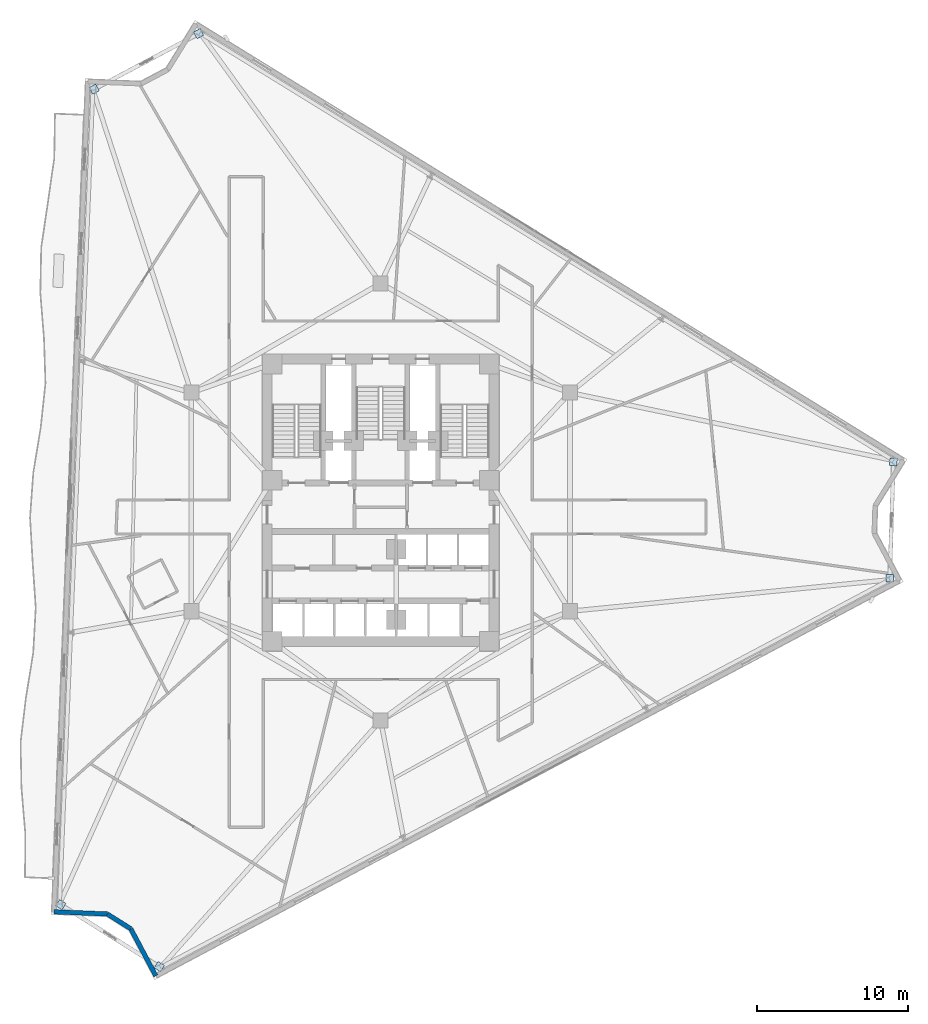
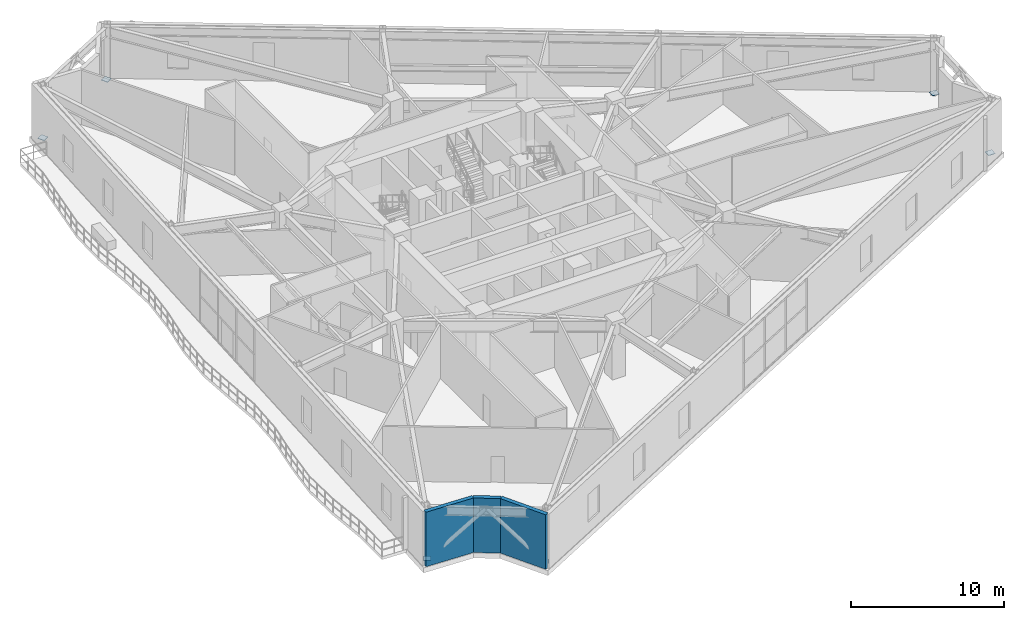
# One storey, part 15 of 22: 6 plates, 3 walls.
"""IFC4 building model written with IfcOpenShell, lengths in metres."""

import ifcopenshell
import ifcopenshell.guid

model = None  # the IFC model being written
_history = None  # IfcOwnerHistory: only IFC2X3 demands one
_inside = {}  # id of a spatial element -> (the spatial element, [elements in it])
_under = {}  # id of a project, library or spatial element -> (it, [spatial elements below it])
_declared = {}  # id of a project -> (the project, [libraries it declares])
_typed = {}  # id of a type object -> (the type object, [elements of that type])
_made_of = {}  # id of a material, layer set ... -> (it, [elements and type objects made of it])


def new_model(schema):
    """Start an empty IFC model of exactly this schema.

    Asked for "IFC4X3", IfcOpenShell would pick the latest addendum, in which some entities
    have other attributes; the version numbers below select the first issue.
    IFC2X3 requires an IfcOwnerHistory on every rooted entity: one is made here for all.
    """
    global model, _history
    if schema == "IFC4X3":
        model = ifcopenshell.file(schema_version=(4, 3, 0, 0))
    else:
        model = ifcopenshell.file(schema=schema)
    _inside.clear()
    _under.clear()
    _declared.clear()
    _typed.clear()
    _made_of.clear()
    _history = None
    if model.schema == "IFC2X3":
        org = make("IfcOrganization", Name="unknown")
        user = make(
            "IfcPersonAndOrganization",
            ThePerson=make("IfcPerson", FamilyName="unknown"),
            TheOrganization=org,
        )
        app = make(
            "IfcApplication",
            ApplicationDeveloper=org,
            Version="unknown",
            ApplicationFullName="unknown",
            ApplicationIdentifier="unknown",
        )
        _history = make(
            "IfcOwnerHistory",
            OwningUser=user,
            OwningApplication=app,
            ChangeAction="ADDED",
            CreationDate=0,
        )
    return model


def make(cls, **values):
    """One entity of the class cls with the attributes given. An attribute that is None is left unset."""
    return model.create_entity(
        cls, **{name: value for name, value in values.items() if value is not None}
    )


def rooted(cls, **values):
    """An entity with a GlobalId (a new one), such as an element, a storey or a relation."""
    return make(cls, GlobalId=ifcopenshell.guid.new(), OwnerHistory=_history, **values)


def si_unit(unit_type, name, prefix=None):
    """IfcSIUnit, for example si_unit("LENGTHUNIT", "METRE", prefix="MILLI")."""
    return make("IfcSIUnit", UnitType=unit_type, Prefix=prefix, Name=name)


def assignment(units):
    """IfcUnitAssignment: the units of a project."""
    return None if units is None else make("IfcUnitAssignment", Units=units)


def point(xyz):
    """IfcCartesianPoint."""
    return None if xyz is None else make("IfcCartesianPoint", Coordinates=xyz)


def direction(xyz):
    """IfcDirection."""
    return None if xyz is None else make("IfcDirection", DirectionRatios=xyz)


def frame(location, z_axis=None, x_axis=None):
    """IfcAxis2Placement3D, a coordinate frame: its origin and axes. An axis left out is left unset."""
    return make(
        "IfcAxis2Placement3D",
        Location=point(location),
        Axis=direction(z_axis),
        RefDirection=direction(x_axis),
    )


def frame_2d(location, x_axis=None):
    """IfcAxis2Placement2D, a coordinate frame in the plane: its origin and x axis."""
    return make(
        "IfcAxis2Placement2D", Location=point(location), RefDirection=direction(x_axis)
    )


def origin():
    """The frame at (0, 0, 0) with its axes left unset."""
    return frame((0.0, 0.0, 0.0))


def origin_2d():
    """The frame at (0, 0) in the plane with its x axis left unset."""
    return frame_2d((0.0, 0.0))


def place(relative_to, where):
    """IfcLocalPlacement: puts the frame where relative to a parent placement (None: the world)."""
    return make(
        "IfcLocalPlacement", PlacementRelTo=relative_to, RelativePlacement=where
    )


def context(
    kind, dimensions, precision=None, world=None, true_north=None, identifier=None
):
    """IfcGeometricRepresentationContext, for example the 3D "Model" context."""
    return make(
        "IfcGeometricRepresentationContext",
        ContextIdentifier=identifier,
        ContextType=kind,
        CoordinateSpaceDimension=dimensions,
        Precision=precision,
        WorldCoordinateSystem=world,
        TrueNorth=true_north,
    )


def subcontext(parent, identifier, kind, view, scale=None):
    """IfcGeometricRepresentationSubContext, for example "Body" below "Model"."""
    return make(
        "IfcGeometricRepresentationSubContext",
        ContextIdentifier=identifier,
        ContextType=kind,
        ParentContext=parent,
        TargetScale=scale,
        TargetView=view,
    )


def project(units=None, contexts=None):
    """IfcProject with its units and contexts."""
    return rooted(
        "IfcProject",
        Name="project",
        RepresentationContexts=contexts,
        UnitsInContext=assignment(units),
    )


def spatial(cls, under=None, at=None, **own):
    """A site, building, storey or space (cls), placed at a placement, below another one or the project."""
    s = rooted(cls, ObjectPlacement=at, **own)
    if under is not None:
        _under.setdefault(under.id(), (under, []))[1].append(s)
    return s


def profile(cls, at=None, kind="AREA", **sizes):
    """A parametric profile (cls). Its sizes go by their IFC names, for example OverallWidth=200.0."""
    return make(cls, ProfileType=kind, Position=at, **sizes)


def rectangle(**sizes):
    """IfcRectangleProfileDef."""
    return profile("IfcRectangleProfileDef", **sizes)


def extrude(swept, where, along, depth):
    """IfcExtrudedAreaSolid: the profile swept, set in the frame where, extruded along a direction by depth."""
    return make(
        "IfcExtrudedAreaSolid",
        SweptArea=swept,
        Position=where,
        ExtrudedDirection=direction(along),
        Depth=depth,
    )


def shape(context_of_items, identifier, shape_type, items):
    """IfcShapeRepresentation: the items that make up one representation, for example the "Body"."""
    return make(
        "IfcShapeRepresentation",
        ContextOfItems=context_of_items,
        RepresentationIdentifier=identifier,
        RepresentationType=shape_type,
        Items=items,
    )


def material(Name=None, Category=None):
    """IfcMaterial."""
    return make("IfcMaterial", Name=Name, Category=Category)


def layer(
    of_material, thickness, ventilated=None, Name=None, Category=None, Priority=None
):
    """IfcMaterialLayer: one layer of a wall or slab, of a material (None: an air gap)."""
    return make(
        "IfcMaterialLayer",
        Material=of_material,
        LayerThickness=thickness,
        IsVentilated=ventilated,
        Name=Name,
        Category=Category,
        Priority=Priority,
    )


def layer_set(layers, Name=None):
    """IfcMaterialLayerSet."""
    return make("IfcMaterialLayerSet", MaterialLayers=layers, LayerSetName=Name)


def made_of(thing, what):
    """Note that an element or type object is made of a material, layer set ...; save() writes the relation."""
    if what is not None:
        _made_of.setdefault(what.id(), (what, []))[1].append(thing)
    return thing


def type_object(cls, material=None, **own):
    """A type object (cls), such as IfcWallType, which elements share."""
    return made_of(rooted(cls, **own), material)


def element(
    cls,
    number,
    at=None,
    inside=None,
    cuts=None,
    type_object=None,
    material=None,
    context=None,
    identifier="Body",
    shape_type=None,
    held_by="IfcProductDefinitionShape",
    body=None,
    shapes=None,
    **own,
):
    """One element of the class cls, such as IfcWall. Its Tag is "e" and its number.

    at: its placement. inside: the storey or other place that contains it. cuts: it is an
    opening in that element (IfcRelVoidsElement). A single representation is given by context,
    identifier, shape_type and body (its items); several are given by shapes. held_by: the class
    of the entity that holds the representations. save() writes the other relations.
    """
    e = rooted(cls, Tag="e%d" % number, ObjectPlacement=at, **own)
    if body is not None:
        shapes = [shape(context, identifier, shape_type, body)]
    if shapes is not None:
        e.Representation = make(held_by, Representations=shapes)
    if inside is not None:
        _inside.setdefault(inside.id(), (inside, []))[1].append(e)
    if cuts is not None:
        rooted(
            "IfcRelVoidsElement", RelatingBuildingElement=cuts, RelatedOpeningElement=e
        )
    if type_object is not None:
        _typed.setdefault(type_object.id(), (type_object, []))[1].append(e)
    return made_of(e, material)


def aggregate(whole, parts):
    """IfcRelAggregates: a whole, such as a stair, and the parts it consists of."""
    return rooted("IfcRelAggregates", RelatingObject=whole, RelatedObjects=parts)


def save(model, path):
    """Write the relations noted so far, then the file.

    IfcRelAggregates (storeys below a building ...), IfcRelContainedInSpatialStructure (elements
    in a storey), IfcRelDefinesByType, IfcRelAssociatesMaterial and IfcRelDeclares: one each for
    every whole, place, type object, material and project.
    """
    for whole, parts in _under.values():
        aggregate(whole, parts)
    for where, things in _inside.values():
        rooted(
            "IfcRelContainedInSpatialStructure",
            RelatedElements=things,
            RelatingStructure=where,
        )
    for kind, things in _typed.values():
        rooted("IfcRelDefinesByType", RelatedObjects=things, RelatingType=kind)
    for what, things in _made_of.values():
        rooted("IfcRelAssociatesMaterial", RelatedObjects=things, RelatingMaterial=what)
    for by, libraries in _declared.values():
        rooted("IfcRelDeclares", RelatingContext=by, RelatedDefinitions=libraries)
    model.write(path)


model = new_model("IFC4")

# Units and contexts
model_context = context("Model", 3, precision=1e-05, world=origin(), true_north=direction((0.0, 1.0)))
body_context = subcontext(model_context, "Body", "Model", "MODEL_VIEW")
ifc_project = project(units=[si_unit("LENGTHUNIT", "METRE"), si_unit("AREAUNIT", "SQUARE_METRE"), si_unit("VOLUMEUNIT", "CUBIC_METRE"), si_unit("PLANEANGLEUNIT", "RADIAN"), si_unit("MASSUNIT", "GRAM", prefix="KILO")], contexts=[model_context])

# Site, building, storey
site_placement = place(None, origin())
site = spatial("IfcSite", under=ifc_project, at=site_placement, CompositionType="ELEMENT")
building_placement = place(site_placement, origin())
building = spatial("IfcBuilding", under=site, at=building_placement, Name="Apsidion Concourse Tower", CompositionType="ELEMENT")
storey_placement = place(building_placement, frame((0.0, 0.0, 160.89990234375)))
storey = spatial("IfcBuildingStorey", under=building, at=storey_placement, Name="L37", CompositionType="ELEMENT", Elevation=160.89990234375)

# Plates
ifc_material_1 = material(Name="Structural steel ASTM A572 Grade 50", Category="steel")
ifc_layer_1 = layer(ifc_material_1, 0.034912109375)
ifc_layer_set_1 = layer_set([ifc_layer_1], Name="Structural steel ASTM A572 Grade 50")
plate_type = type_object("IfcPlateType", Name="PL-ENDCAP-35", PredefinedType="USERDEFINED", material=ifc_layer_set_1)
for number, where, z_axis, x_axis, name in (
    (1, (-21.21533203125, -26.710693359375, 0.1025390625), (0.0, 0.0, 1.0), (-0.846472063486, 0.53243313734, 0.0), "L37 Chevron Base End Plate KNB-1-1"),
    (2, (-14.68408203125, -30.819580078125, 0.1025390625), (0.0, 0.0, 1.0), (-0.846472063486, 0.53243313734, 0.0), "L37 Chevron Base End Plate KNB-1-2"),
    (3, (33.761962890625, -5.060302734375, 0.1025390625), (0.0, 0.0, 1.0), (0.03193409516, 0.999489976721, 0.0), "L37 Chevron Base End Plate KNB-2-1"),
    (4, (34.0078125, 2.65185546875, 0.1025390625), (0.0, 0.0, 1.0), (0.03193409516, 0.999489976721, 0.0), "L37 Chevron Base End Plate KNB-2-2"),
    (5, (-12.07421875, 31.059814453125, 0.1025390625), (0.0, 0.0, 1.0), (0.882947592859, 0.469471562786, 0.0), "L37 Chevron Base End Plate KNB-3-1"),
    (6, (-18.997802734375, 27.378173828125, 0.1025390625), (0.0, 0.0, 1.0), (0.882947592859, 0.469471562786, 0.0), "L37 Chevron Base End Plate KNB-3-2"),
):
    element("IfcPlate", number, at=place(storey_placement, frame(where, z_axis=z_axis, x_axis=x_axis)), inside=storey, type_object=plate_type, Name=name, ObjectType="FLANGE_PLATE", PredefinedType="USERDEFINED", context=body_context, shape_type="SweptSolid", body=[
        extrude(rectangle(XDim=0.5, YDim=0.5, at=origin_2d()), origin(), (0.0, 0.0, 1.0), 0.034912109375),
    ])

# Walls
ifc_material_2 = material(Name="Precast concrete C40/50", Category="concrete")
ifc_layer_2 = layer(ifc_material_2, 0.300048828125)
ifc_layer_set_2 = layer_set([ifc_layer_2], Name="Precast concrete C40/50")
wall_type = type_object("IfcWallType", Name="WL-EXT-300", PredefinedType="STANDARD", material=ifc_layer_set_2)
wall_1_placement = place(storey_placement, frame((-14.910400390625, -31.4345703125, 0.0), z_axis=(0.0, 0.0, 1.0), x_axis=(-0.469464339615, 0.882951433449, 0.0)))
element("IfcWall", 7, at=wall_1_placement, inside=storey, type_object=wall_type, Name="L37 Precast Stone Facade Wall 06", PredefinedType="STANDARD", context=body_context, shape_type="SweptSolid", body=[
    extrude(rectangle(XDim=3.54150390625, YDim=0.300048828125, at=frame_2d((1.770751953125, 0.0))), origin(), (0.0, 0.0, 1.0), 4.35009765625),
])
wall_2_placement = place(storey_placement, frame((-16.572998046875, -28.3076171875, 0.0), z_axis=(0.0, 0.0, 1.0), x_axis=(-0.846450132201, 0.53246800251, 0.0)))
element("IfcWall", 8, at=wall_2_placement, inside=storey, type_object=wall_type, Name="L37 Precast Stone Facade Wall 07", PredefinedType="STANDARD", context=body_context, shape_type="SweptSolid", body=[
    extrude(rectangle(XDim=1.838134765625, YDim=0.300048828125, at=frame_2d((0.9189453125, 0.0))), origin(), (0.0, 0.0, 1.0), 4.35009765625),
])
wall_3_placement = place(storey_placement, frame((-18.12890625, -27.328857421875, 0.0), z_axis=(0.0, 0.0, 1.0), x_axis=(-0.999166906151, 0.040810460083, 0.0)))
element("IfcWall", 9, at=wall_3_placement, inside=storey, type_object=wall_type, Name="L37 Precast Stone Facade Wall 08", PredefinedType="STANDARD", context=body_context, shape_type="SweptSolid", body=[
    extrude(rectangle(XDim=3.54150390625, YDim=0.300048828125, at=frame_2d((1.770751953125, 0.0))), origin(), (0.0, 0.0, 1.0), 4.35009765625),
])

save(model, "model.ifc")
